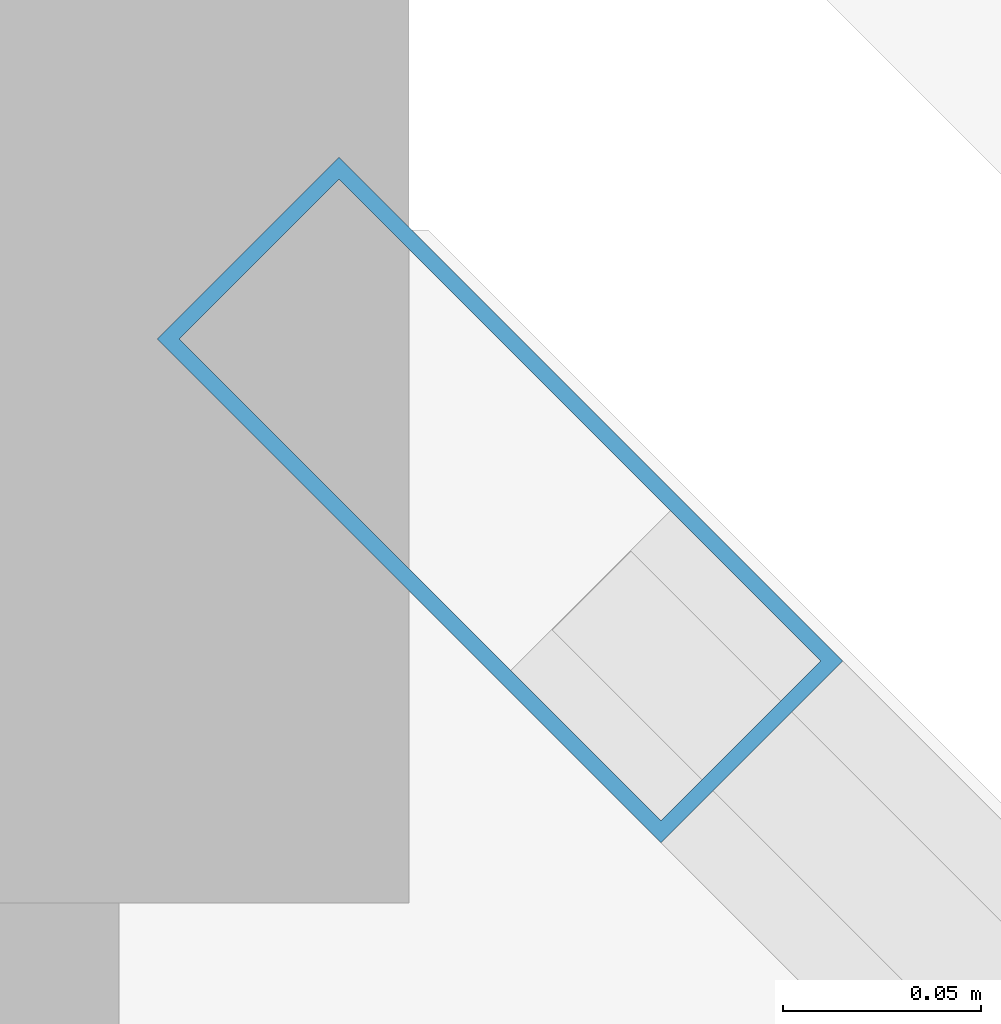
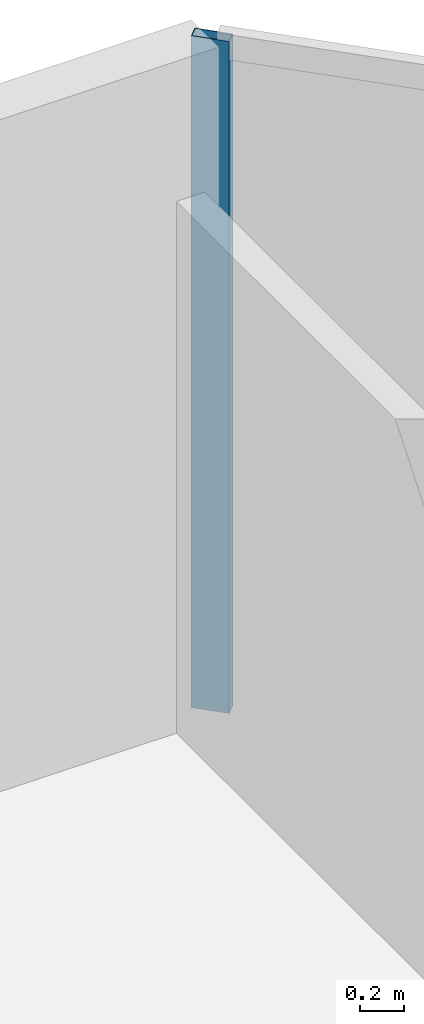
# One storey, part 26 of 38: 1 member, 1 element without a shape of its own.
"""IFC4 building model written with IfcOpenShell, lengths in metres."""

from ifc_helpers import new_model, si_unit, direction, frame, origin, origin_2d, place, context, subcontext, project, spatial, hollow_rectangle, extrude, material, layer, layer_set, material_profile, profile_set, type_object, element, aggregate, save


model = new_model("IFC4")

# Units and contexts
model_context = context("Model", 3, precision=1e-05, world=origin(), true_north=direction((0.0, 1.0)))
body_context = subcontext(model_context, "Body", "Model", "MODEL_VIEW")
ifc_project = project(units=[si_unit("LENGTHUNIT", "METRE"), si_unit("AREAUNIT", "SQUARE_METRE"), si_unit("VOLUMEUNIT", "CUBIC_METRE"), si_unit("PLANEANGLEUNIT", "RADIAN"), si_unit("MASSUNIT", "GRAM", prefix="KILO")], contexts=[model_context])

# Site, building, storey
site_placement = place(None, origin())
site = spatial("IfcSite", under=ifc_project, at=site_placement, CompositionType="ELEMENT")
building_placement = place(site_placement, origin())
building = spatial("IfcBuilding", under=site, at=building_placement, Name="Tanjung Sevakor Pilgrim Tower", CompositionType="ELEMENT")
storey_placement = place(building_placement, frame((0.0, 0.0, 78.2099609375)))
storey = spatial("IfcBuildingStorey", under=building, at=storey_placement, Name="L21", CompositionType="ELEMENT", Elevation=78.2099609375)

# Curtain wall, member
ifc_material_1 = material(Name="Aluminium 6063-T6 and Low-E Glass", Category="aluminium")
ifc_layer = layer(ifc_material_1, 0.179931640625)
ifc_layer_set = layer_set([ifc_layer], Name="CW-SYS-CHAM")
curtain_wall_type = type_object("IfcCurtainWallType", Name="CW-SYS-CHAM", PredefinedType="NOTDEFINED", material=ifc_layer_set)
curtain_wall_placement = place(storey_placement, origin())
curtain_wall = element("IfcCurtainWall", 1, at=curtain_wall_placement, inside=storey, type_object=curtain_wall_type, Name="L21 Curtain Wall CW-CHM-L21-MAIN-7", PredefinedType="NOTDEFINED")
ifc_material_2 = material(Name="Aluminium 6063-T6", Category="aluminium")
ifc_material_profile = material_profile(ifc_material_2, hollow_rectangle(XDim=0.06494140625, YDim=0.179931640625, WallThickness=0.00390625, at=origin_2d()))
ifc_profile_set = profile_set([ifc_material_profile], Name="Aluminium 6063-T6")
member_type = type_object("IfcMemberType", Name="TYPE-CWM-1", PredefinedType="MULLION", material=ifc_profile_set)
member_placement = place(storey_placement, frame((96.171142578125, 57.451904296875, 0.0), z_axis=(0.0, 0.0, 1.0), x_axis=(-0.707106781187, -0.707106781187, 0.0)))
member = element("IfcMember", 2, at=member_placement, type_object=member_type, Name="CW-CHM mullion 2", PredefinedType="MULLION", context=body_context, shape_type="SweptSolid", body=[
    extrude(hollow_rectangle(XDim=0.06494140625, YDim=0.179931640625, WallThickness=0.00390625, at=origin_2d()), origin(), (0.0, 0.0, 1.0), 3.739990234375),
])
aggregate(curtain_wall, [member])

save(model, "model.ifc")
